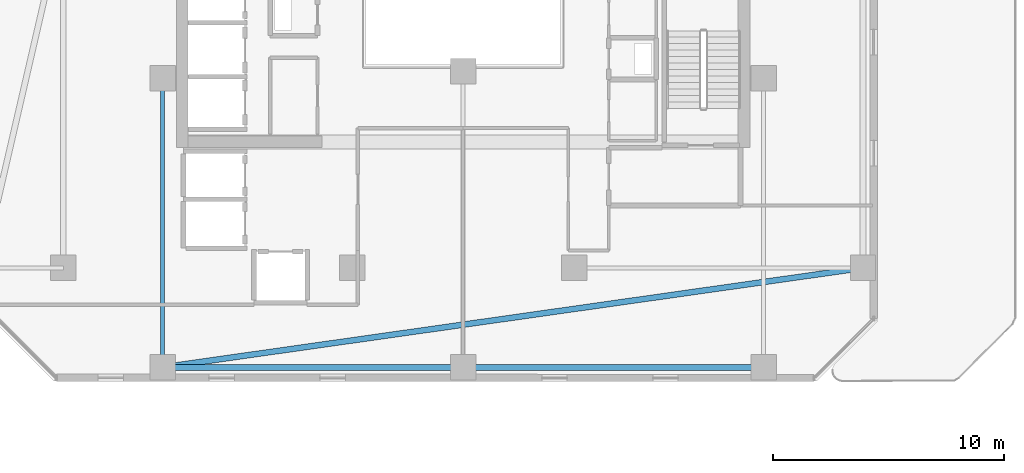
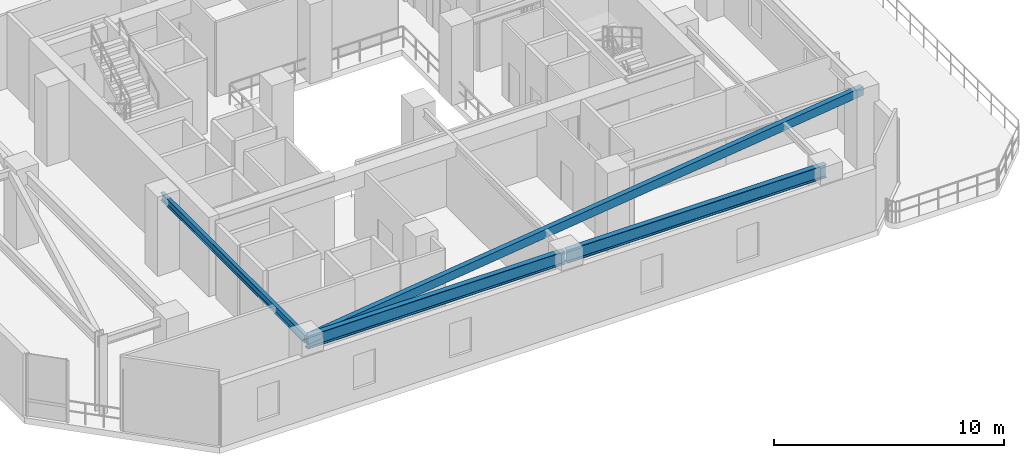
# One storey, part 12 of 33: 4 beams.
"""IFC4 building model written with IfcOpenShell, lengths in metres."""

from ifc_helpers import new_model, si_unit, direction, frame, origin, origin_2d, place, context, subcontext, project, spatial, hollow_rectangle, i_section, extrude, material, material_profile, profile_set, type_object, element, save


model = new_model("IFC4")

# Units and contexts
model_context = context("Model", 3, precision=1e-05, world=origin(), true_north=direction((0.0, 1.0)))
body_context = subcontext(model_context, "Body", "Model", "MODEL_VIEW")
ifc_project = project(units=[si_unit("LENGTHUNIT", "METRE"), si_unit("AREAUNIT", "SQUARE_METRE"), si_unit("VOLUMEUNIT", "CUBIC_METRE"), si_unit("PLANEANGLEUNIT", "RADIAN"), si_unit("MASSUNIT", "GRAM", prefix="KILO")], contexts=[model_context])

# Site, building, storey
site_placement = place(None, origin())
site = spatial("IfcSite", under=ifc_project, at=site_placement, CompositionType="ELEMENT")
building_placement = place(site_placement, origin())
building = spatial("IfcBuilding", under=site, at=building_placement, Name="Thornwick Lancets Civic Towers", CompositionType="ELEMENT")
storey_placement = place(building_placement, frame((0.0, 0.0, 174.300048828125)))
storey = spatial("IfcBuildingStorey", under=building, at=storey_placement, Name="L46", CompositionType="ELEMENT", Elevation=174.300048828125)

# Beams
ifc_material = material(Name="Steel S355JR", Category="steel")
ifc_material_profile_1 = material_profile(ifc_material, i_section(OverallWidth=0.255859375, OverallDepth=0.69287109375, WebThickness=0.014404296875, FlangeThickness=0.023681640625, FilletRadius=0.01513671875, at=origin_2d()), Name="UKB 686x254x170")
ifc_profile_set_1 = profile_set([ifc_material_profile_1], Name="Steel S355JR")
beam_type_1 = type_object("IfcBeamType", Name="BM_GIRD_686_170", PredefinedType="BEAM", material=ifc_profile_set_1)
beam_1_placement = place(storey_placement, frame((101.5, 9.699951171875, 3.613525390625), z_axis=(-1.0, 0.0, 0.0), x_axis=(0.0, -1.0, 0.0)))
element("IfcBeam", 1, at=beam_1_placement, inside=storey, type_object=beam_type_1, Name="BM-SPINE-L46-B-9-10", PredefinedType="BEAM", context=body_context, shape_type="SweptSolid", body=[
    extrude(i_section(OverallWidth=0.255859375, OverallDepth=0.69287109375, WebThickness=0.014404296875, FlangeThickness=0.023681640625, FilletRadius=0.01513671875, at=origin_2d()), origin(), (0.0, 0.0, 1.0), 13.0),
])
beam_2_placement = place(storey_placement, frame((88.419921875, 9.699951171875, 3.613525390625), z_axis=(-1.0, 0.0, 0.0), x_axis=(0.0, -1.0, 0.0)))
element("IfcBeam", 2, at=beam_2_placement, inside=storey, type_object=beam_type_1, Name="BM-SPINE-L46-B-10-11", PredefinedType="BEAM", context=body_context, shape_type="SweptSolid", body=[
    extrude(i_section(OverallWidth=0.255859375, OverallDepth=0.69287109375, WebThickness=0.014404296875, FlangeThickness=0.023681640625, FilletRadius=0.01513671875, at=origin_2d()), origin(), (0.0, 0.0, 1.0), 12.919921875),
])
ifc_material_profile_2 = material_profile(ifc_material, i_section(OverallWidth=0.179443359375, OverallDepth=0.412841796875, WebThickness=0.009521484375, FlangeThickness=0.01611328125, FilletRadius=0.01025390625, at=origin_2d()), Name="UKB 406x178x74")
ifc_profile_set_2 = profile_set([ifc_material_profile_2], Name="Steel S355JR")
beam_type_2 = type_object("IfcBeamType", Name="BM_JOIST_406_74", PredefinedType="JOIST", material=ifc_profile_set_2)
beam_3_placement = place(storey_placement, frame((75.5, 22.199951171875, 3.753662109375), z_axis=(0.0, -1.0, 0.0), x_axis=(1.0, 0.0, 0.0)))
element("IfcBeam", 3, at=beam_3_placement, inside=storey, type_object=beam_type_2, Name="BM-RADIN-L46-B12", PredefinedType="JOIST", context=body_context, shape_type="SweptSolid", body=[
    extrude(i_section(OverallWidth=0.179443359375, OverallDepth=0.412841796875, WebThickness=0.009521484375, FlangeThickness=0.01611328125, FilletRadius=0.01025390625, at=origin_2d()), origin(), (0.0, 0.0, 1.0), 12.5),
])
ifc_material_profile_3 = material_profile(ifc_material, hollow_rectangle(XDim=0.25, YDim=0.449951171875, WallThickness=0.01611328125, at=origin_2d()), Name="RHS 450x250x16")
ifc_profile_set_3 = profile_set([ifc_material_profile_3], Name="Steel S355JR")
beam_type_3 = type_object("IfcBeamType", Name="BM_RING_RHS450", PredefinedType="BEAM", material=ifc_profile_set_3)
beam_4_placement = place(storey_placement, frame((75.5, 9.699951171875, 3.73486328125), z_axis=(0.990079584012, 0.140507712682, 0.0), x_axis=(-0.140507712682, 0.990079584012, 0.0)))
element("IfcBeam", 4, at=beam_4_placement, inside=storey, type_object=beam_type_3, Name="BM-CHAMF-L46-B-C3", PredefinedType="BEAM", context=body_context, shape_type="SweptSolid", body=[
    extrude(hollow_rectangle(XDim=0.25, YDim=0.449951171875, WallThickness=0.01611328125, at=origin_2d()), origin(), (0.0, 0.0, 1.0), 30.603759765625),
])

save(model, "model.ifc")
